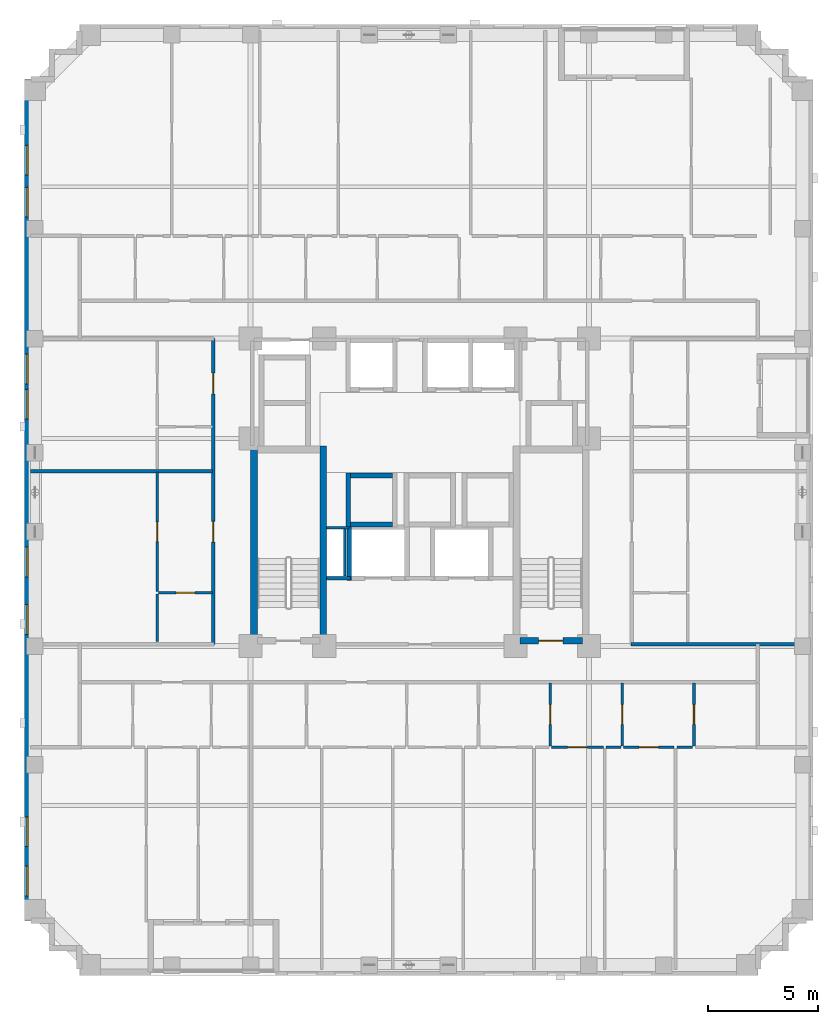
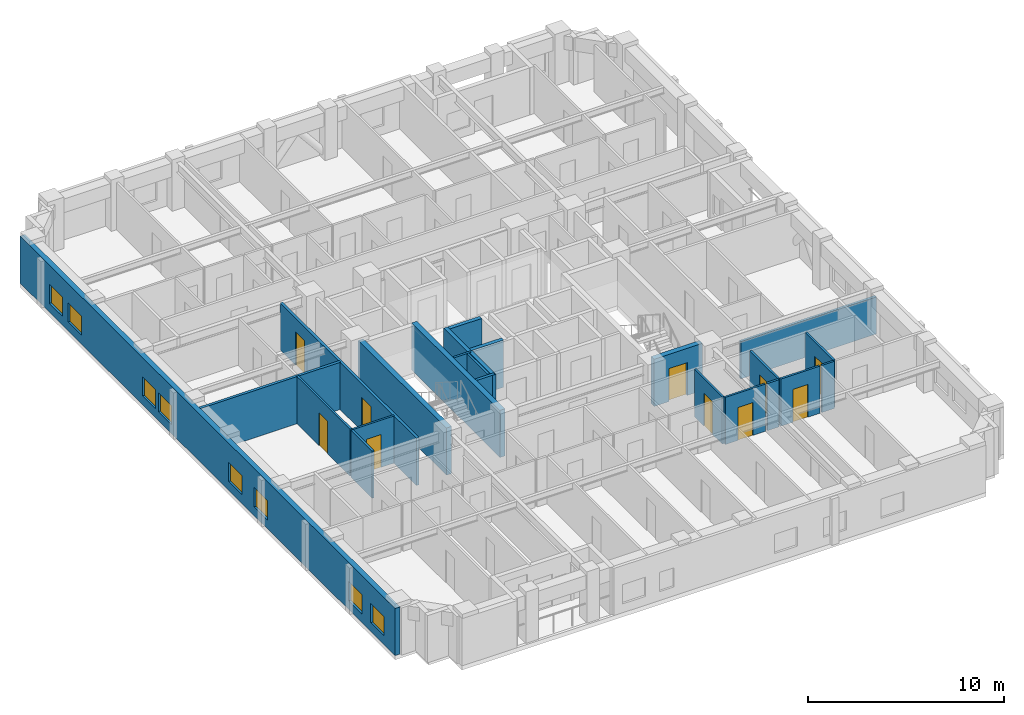
# One storey, part 4 of 12: 24 walls, 10 doors, 8 windows, 18 openings.
"""IFC4 building model written with IfcOpenShell, lengths in metres."""

from ifc_helpers import new_model, si_unit, derived_unit, direction, frame, frame_2d, origin, place, context, subcontext, project, spatial, rectangle, extrude, material, layer, layer_set, type_object, element, fill, save


model = new_model("IFC4")

# Units and contexts
model_context = context("Model", 3, precision=1e-05, world=origin(), true_north=direction((0.0, 1.0)))
body_context = subcontext(model_context, "Body", "Model", "MODEL_VIEW")
ifc_project = project(units=[si_unit("LENGTHUNIT", "METRE"), si_unit("AREAUNIT", "SQUARE_METRE"), si_unit("VOLUMEUNIT", "CUBIC_METRE"), si_unit("PLANEANGLEUNIT", "RADIAN"), si_unit("MASSUNIT", "GRAM", prefix="KILO"), derived_unit("THERMALTRANSMITTANCEUNIT", [(si_unit("MASSUNIT", "GRAM", prefix="KILO"), 1), (si_unit("TIMEUNIT", "SECOND"), -3), (si_unit("THERMODYNAMICTEMPERATUREUNIT", "KELVIN"), -1)])], contexts=[model_context])

# Site, building, storey
site_placement = place(None, origin())
site = spatial("IfcSite", under=ifc_project, at=site_placement, CompositionType="ELEMENT")
building_placement = place(site_placement, origin())
building = spatial("IfcBuilding", under=site, at=building_placement, Name="Korrvale Station Residences", CompositionType="ELEMENT")
storey_placement = place(building_placement, frame((0.0, 0.0, 113.5)))
storey = spatial("IfcBuildingStorey", under=building, at=storey_placement, Name="L32", CompositionType="ELEMENT", Elevation=113.5)

# Walls
ifc_material_1 = material(Name="Concrete C60/75", Category="concrete")
ifc_layer_1 = layer(ifc_material_1, 0.300048828125, Name="Concrete C60/75")
ifc_layer_set_1 = layer_set([ifc_layer_1], Name="Concrete C60/75")
wall_type_1 = type_object("IfcWallType", Name="WAL-CORE-300-C60", PredefinedType="SHEAR", material=ifc_layer_set_1)
for number, where, z_axis, x_axis, name in (
    (1, (17.949951171875, 15.10009765625, 0.0), (0.0, 0.0, 1.0), (0.0, 1.0, 0.0), "L32 ST-1 Core Shear Wall West"),
    (2, (21.10009765625, 15.10009765625, 0.0), (0.0, 0.0, 1.0), (0.0, 1.0, 0.0), "L32 ST-1 Core Shear Wall East"),
):
    element("IfcWall", number, at=place(storey_placement, frame(where, z_axis=z_axis, x_axis=x_axis)), inside=storey, type_object=wall_type_1, Name=name, PredefinedType="SHEAR", context=body_context, shape_type="SweptSolid", body=[
        extrude(rectangle(XDim=9.0, YDim=0.300048828125, at=frame_2d((4.5, 0.0))), origin(), (0.0, 0.0, 1.0), 2.93994140625),
    ])

# Wall, opening, door
wall_1_placement = place(storey_placement, frame((30.050048828125, 15.25, 0.0), z_axis=(0.0, 0.0, 1.0), x_axis=(1.0, 0.0, 0.0)))
wall_1 = element("IfcWall", 3, at=wall_1_placement, inside=storey, type_object=wall_type_1, Name="L32 ST-2 Core Shear Wall South", PredefinedType="SHEAR", context=body_context, shape_type="SweptSolid", body=[
    extrude(rectangle(XDim=2.849853515625, YDim=0.300048828125, at=frame_2d((1.4248046875, 0.0))), origin(), (0.0, 0.0, 1.0), 2.93994140625),
])
opening_1_placement = place(wall_1_placement, frame((0.860107421875, 0.0, 0.0)))
opening_1 = element("IfcOpeningElement", 4, at=opening_1_placement, cuts=wall_1, Name="Opening SD-1100", PredefinedType="OPENING", context=body_context, shape_type="SweptSolid", body=[
    extrude(rectangle(XDim=1.10009765625, YDim=2.050048828125, at=frame_2d((0.550048828125, 1.02490234375))), frame((0.0, 0.16015625, 0.0), z_axis=(0.0, -1.0, 0.0), x_axis=(1.0, 0.0, 0.0)), (0.0, 0.0, 1.0), 0.320068359375),
])
ifc_material_2 = material(Name="Hollow-metal fire-rated stair door with closer", Category="steel")
door_type_1 = type_object("IfcDoorType", Name="DR-STAIR-1100", OperationType="NOTDEFINED", PredefinedType="DOOR", material=ifc_material_2)
door_1_placement = place(opening_1_placement, origin())
door_1 = element("IfcDoor", 5, at=door_1_placement, inside=storey, type_object=door_type_1, Name="L32 ST-2 Exit Stair Door", OperationType="SINGLE_SWING_RIGHT", OverallHeight=2.050048828125, OverallWidth=1.10009765625, PredefinedType="DOOR", context=body_context, shape_type="SweptSolid", body=[
    extrude(rectangle(XDim=1.10009765625, YDim=2.050048828125, at=frame_2d((0.550048828125, 1.02490234375))), frame((0.0, 0.02490234375, 0.0), z_axis=(0.0, -1.0, 0.0), x_axis=(1.0, 0.0, 0.0)), (0.0, 0.0, 1.0), 0.050048828125),
])
fill(opening_1, door_1)

# Wall, openings, windows
ifc_material_3 = material(Name="Precast concrete C45/55", Category="concrete")
ifc_layer_2 = layer(ifc_material_3, 0.300048828125, Name="Precast concrete C45/55")
ifc_layer_set_2 = layer_set([ifc_layer_2], Name="Precast concrete C45/55")
wall_type_2 = type_object("IfcWallType", Name="WAL-EXT-PC300", PredefinedType="SOLIDWALL", material=ifc_layer_set_2)
wall_2_placement = place(storey_placement, frame((7.64990234375, 2.5, 0.0), z_axis=(0.0, 0.0, 1.0), x_axis=(0.0, 1.0, 0.0)))
wall_2 = element("IfcWall", 6, at=wall_2_placement, inside=storey, type_object=wall_type_2, Name="L32 West Exterior Precast Wall 1", PredefinedType="SOLIDWALL", context=body_context, shape_type="SweptSolid", body=[
    extrude(rectangle(XDim=38.300048828125, YDim=0.300048828125, at=frame_2d((19.14990234375, 0.0))), origin(), (0.0, 0.0, 1.0), 2.93994140625),
])
opening_2_placement = place(wall_2_placement, frame((3.3798828125, 0.0, 0.550048828125)))
opening_2 = element("IfcOpeningElement", 7, at=opening_2_placement, cuts=wall_2, Name="Opening W-10", PredefinedType="OPENING", context=body_context, shape_type="SweptSolid", body=[
    extrude(rectangle(XDim=1.35009765625, YDim=1.199951171875, at=frame_2d((0.675048828125, 0.60009765625))), frame((0.0, 0.16015625, 0.0), z_axis=(0.0, -1.0, 0.0), x_axis=(1.0, 0.0, 0.0)), (0.0, 0.0, 1.0), 0.320068359375),
])
opening_3_placement = place(wall_2_placement, frame((1.135009765625, 0.0, 0.550048828125)))
opening_3 = element("IfcOpeningElement", 8, at=opening_3_placement, cuts=wall_2, Name="Opening W-10", PredefinedType="OPENING", context=body_context, shape_type="SweptSolid", body=[
    extrude(rectangle(XDim=1.35009765625, YDim=1.199951171875, at=frame_2d((0.675048828125, 0.60009765625))), frame((0.0, 0.16015625, 0.0), z_axis=(0.0, -1.0, 0.0), x_axis=(1.0, 0.0, 0.0)), (0.0, 0.0, 1.0), 0.320068359375),
])
opening_4_placement = place(wall_2_placement, frame((33.946044921875, 0.0, 0.550048828125)))
opening_4 = element("IfcOpeningElement", 9, at=opening_4_placement, cuts=wall_2, Name="Opening W-10", PredefinedType="OPENING", context=body_context, shape_type="SweptSolid", body=[
    extrude(rectangle(XDim=1.35009765625, YDim=1.199951171875, at=frame_2d((0.675048828125, 0.60009765625))), frame((0.0, 0.16015625, 0.0), z_axis=(0.0, -1.0, 0.0), x_axis=(1.0, 0.0, 0.0)), (0.0, 0.0, 1.0), 0.320068359375),
])
opening_5_placement = place(wall_2_placement, frame((32.034912109375, 0.0, 0.550048828125)))
opening_5 = element("IfcOpeningElement", 10, at=opening_5_placement, cuts=wall_2, Name="Opening W-10", PredefinedType="OPENING", context=body_context, shape_type="SweptSolid", body=[
    extrude(rectangle(XDim=1.35009765625, YDim=1.199951171875, at=frame_2d((0.675048828125, 0.60009765625))), frame((0.0, 0.16015625, 0.0), z_axis=(0.0, -1.0, 0.0), x_axis=(1.0, 0.0, 0.0)), (0.0, 0.0, 1.0), 0.320068359375),
])
opening_6_placement = place(wall_2_placement, frame((15.64990234375, 0.0, 0.550048828125)))
opening_6 = element("IfcOpeningElement", 11, at=opening_6_placement, cuts=wall_2, Name="Opening W-10", PredefinedType="OPENING", context=body_context, shape_type="SweptSolid", body=[
    extrude(rectangle(XDim=1.35009765625, YDim=1.199951171875, at=frame_2d((0.675048828125, 0.60009765625))), frame((0.0, 0.16015625, 0.0), z_axis=(0.0, -1.0, 0.0), x_axis=(1.0, 0.0, 0.0)), (0.0, 0.0, 1.0), 0.320068359375),
])
opening_7_placement = place(wall_2_placement, frame((13.034912109375, 0.0, 0.550048828125)))
opening_7 = element("IfcOpeningElement", 12, at=opening_7_placement, cuts=wall_2, Name="Opening W-10", PredefinedType="OPENING", context=body_context, shape_type="SweptSolid", body=[
    extrude(rectangle(XDim=1.35009765625, YDim=1.199951171875, at=frame_2d((0.675048828125, 0.60009765625))), frame((0.0, 0.16015625, 0.0), z_axis=(0.0, -1.0, 0.0), x_axis=(1.0, 0.0, 0.0)), (0.0, 0.0, 1.0), 0.320068359375),
])
opening_8_placement = place(wall_2_placement, frame((22.8310546875, 0.0, 0.550048828125)))
opening_8 = element("IfcOpeningElement", 13, at=opening_8_placement, cuts=wall_2, Name="Opening W-10", PredefinedType="OPENING", context=body_context, shape_type="SweptSolid", body=[
    extrude(rectangle(XDim=1.35009765625, YDim=1.199951171875, at=frame_2d((0.675048828125, 0.60009765625))), frame((0.0, 0.16015625, 0.0), z_axis=(0.0, -1.0, 0.0), x_axis=(1.0, 0.0, 0.0)), (0.0, 0.0, 1.0), 0.320068359375),
])
opening_9_placement = place(wall_2_placement, frame((24.44091796875, 0.0, 0.550048828125)))
opening_9 = element("IfcOpeningElement", 14, at=opening_9_placement, cuts=wall_2, Name="Opening W-10", PredefinedType="OPENING", context=body_context, shape_type="SweptSolid", body=[
    extrude(rectangle(XDim=1.35009765625, YDim=1.199951171875, at=frame_2d((0.675048828125, 0.60009765625))), frame((0.0, 0.16015625, 0.0), z_axis=(0.0, -1.0, 0.0), x_axis=(1.0, 0.0, 0.0)), (0.0, 0.0, 1.0), 0.320068359375),
])
ifc_material_4 = material(Name="Thermally broken aluminium frame with triple low-e glazing", Category="aluminium")
window_type = type_object("IfcWindowType", Name="WIN-W10", PartitioningType="SINGLE_PANEL", PredefinedType="WINDOW", material=ifc_material_4)
window_1_placement = place(opening_2_placement, origin())
window_1 = element("IfcWindow", 15, at=window_1_placement, inside=storey, type_object=window_type, Name="L32 Punched Window 01", OverallHeight=1.199951171875, OverallWidth=1.35009765625, PartitioningType="SINGLE_PANEL", PredefinedType="WINDOW", context=body_context, shape_type="SweptSolid", body=[
    extrude(rectangle(XDim=1.35009765625, YDim=1.199951171875, at=frame_2d((0.675048828125, 0.60009765625))), frame((0.0, 0.030029296875, 0.0), z_axis=(0.0, -1.0, 0.0), x_axis=(1.0, 0.0, 0.0)), (0.0, 0.0, 1.0), 0.06005859375),
])
fill(opening_2, window_1)
window_2_placement = place(opening_3_placement, origin())
window_2 = element("IfcWindow", 16, at=window_2_placement, inside=storey, type_object=window_type, Name="L32 Punched Window 02", OverallHeight=1.199951171875, OverallWidth=1.35009765625, PartitioningType="SINGLE_PANEL", PredefinedType="WINDOW", context=body_context, shape_type="SweptSolid", body=[
    extrude(rectangle(XDim=1.35009765625, YDim=1.199951171875, at=frame_2d((0.675048828125, 0.60009765625))), frame((0.0, 0.030029296875, 0.0), z_axis=(0.0, -1.0, 0.0), x_axis=(1.0, 0.0, 0.0)), (0.0, 0.0, 1.0), 0.06005859375),
])
fill(opening_3, window_2)
window_3_placement = place(opening_4_placement, origin())
window_3 = element("IfcWindow", 17, at=window_3_placement, inside=storey, type_object=window_type, Name="L32 Punched Window 12", OverallHeight=1.199951171875, OverallWidth=1.35009765625, PartitioningType="SINGLE_PANEL", PredefinedType="WINDOW", context=body_context, shape_type="SweptSolid", body=[
    extrude(rectangle(XDim=1.35009765625, YDim=1.199951171875, at=frame_2d((0.675048828125, 0.60009765625))), frame((0.0, 0.030029296875, 0.0), z_axis=(0.0, -1.0, 0.0), x_axis=(1.0, 0.0, 0.0)), (0.0, 0.0, 1.0), 0.06005859375),
])
fill(opening_4, window_3)
window_4_placement = place(opening_5_placement, origin())
window_4 = element("IfcWindow", 18, at=window_4_placement, inside=storey, type_object=window_type, Name="L32 Punched Window 13", OverallHeight=1.199951171875, OverallWidth=1.35009765625, PartitioningType="SINGLE_PANEL", PredefinedType="WINDOW", context=body_context, shape_type="SweptSolid", body=[
    extrude(rectangle(XDim=1.35009765625, YDim=1.199951171875, at=frame_2d((0.675048828125, 0.60009765625))), frame((0.0, 0.030029296875, 0.0), z_axis=(0.0, -1.0, 0.0), x_axis=(1.0, 0.0, 0.0)), (0.0, 0.0, 1.0), 0.06005859375),
])
fill(opening_5, window_4)
window_5_placement = place(opening_6_placement, origin())
window_5 = element("IfcWindow", 19, at=window_5_placement, inside=storey, type_object=window_type, Name="L32 Punched Window 19", OverallHeight=1.199951171875, OverallWidth=1.35009765625, PartitioningType="SINGLE_PANEL", PredefinedType="WINDOW", context=body_context, shape_type="SweptSolid", body=[
    extrude(rectangle(XDim=1.35009765625, YDim=1.199951171875, at=frame_2d((0.675048828125, 0.60009765625))), frame((0.0, 0.030029296875, 0.0), z_axis=(0.0, -1.0, 0.0), x_axis=(1.0, 0.0, 0.0)), (0.0, 0.0, 1.0), 0.06005859375),
])
fill(opening_6, window_5)
window_6_placement = place(opening_7_placement, origin())
window_6 = element("IfcWindow", 20, at=window_6_placement, inside=storey, type_object=window_type, Name="L32 Punched Window 20", OverallHeight=1.199951171875, OverallWidth=1.35009765625, PartitioningType="SINGLE_PANEL", PredefinedType="WINDOW", context=body_context, shape_type="SweptSolid", body=[
    extrude(rectangle(XDim=1.35009765625, YDim=1.199951171875, at=frame_2d((0.675048828125, 0.60009765625))), frame((0.0, 0.030029296875, 0.0), z_axis=(0.0, -1.0, 0.0), x_axis=(1.0, 0.0, 0.0)), (0.0, 0.0, 1.0), 0.06005859375),
])
fill(opening_7, window_6)
window_7_placement = place(opening_8_placement, origin())
window_7 = element("IfcWindow", 21, at=window_7_placement, inside=storey, type_object=window_type, Name="L32 Punched Window 21", OverallHeight=1.199951171875, OverallWidth=1.35009765625, PartitioningType="SINGLE_PANEL", PredefinedType="WINDOW", context=body_context, shape_type="SweptSolid", body=[
    extrude(rectangle(XDim=1.35009765625, YDim=1.199951171875, at=frame_2d((0.675048828125, 0.60009765625))), frame((0.0, 0.030029296875, 0.0), z_axis=(0.0, -1.0, 0.0), x_axis=(1.0, 0.0, 0.0)), (0.0, 0.0, 1.0), 0.06005859375),
])
fill(opening_8, window_7)
window_8_placement = place(opening_9_placement, origin())
window_8 = element("IfcWindow", 22, at=window_8_placement, inside=storey, type_object=window_type, Name="L32 Punched Window 22", OverallHeight=1.199951171875, OverallWidth=1.35009765625, PartitioningType="SINGLE_PANEL", PredefinedType="WINDOW", context=body_context, shape_type="SweptSolid", body=[
    extrude(rectangle(XDim=1.35009765625, YDim=1.199951171875, at=frame_2d((0.675048828125, 0.60009765625))), frame((0.0, 0.030029296875, 0.0), z_axis=(0.0, -1.0, 0.0), x_axis=(1.0, 0.0, 0.0)), (0.0, 0.0, 1.0), 0.06005859375),
])
fill(opening_9, window_8)

# Walls
ifc_material_5 = material(Name="Acoustic steel-stud gypsum board partition", Category="steel")
ifc_layer_3 = layer(ifc_material_5, 0.1201171875, Name="Acoustic steel-stud gypsum board partition")
ifc_layer_set_3 = layer_set([ifc_layer_3], Name="Acoustic steel-stud gypsum board partition")
wall_type_3 = type_object("IfcWallType", Name="WAL-PART-125", PredefinedType="PARTITIONING", material=ifc_layer_set_3)
wall_3_placement = place(storey_placement, frame((22.080078125, 18.199951171875, 0.0), z_axis=(0.0, 0.0, 1.0), x_axis=(0.0, 1.0, 0.0)))
element("IfcWall", 23, at=wall_3_placement, inside=storey, type_object=wall_type_3, Name="L32 Core Partition CW-RSWT", PredefinedType="PARTITIONING", context=body_context, shape_type="SweptSolid", body=[
    extrude(rectangle(XDim=2.1201171875, YDim=0.1201171875, at=frame_2d((1.06005859375, 0.0))), origin(), (0.0, 0.0, 1.0), 2.93994140625),
])
wall_4_placement = place(storey_placement, frame((22.280029296875, 20.3798828125, 0.0), z_axis=(0.0, 0.0, 1.0), x_axis=(-1.0, 0.0, 0.0)))
element("IfcWall", 24, at=wall_4_placement, inside=storey, type_object=wall_type_3, Name="L32 Core Partition CW-RSWT-N", PredefinedType="PARTITIONING", context=body_context, shape_type="SweptSolid", body=[
    extrude(rectangle(XDim=1.02001953125, YDim=0.1201171875, at=frame_2d((0.510009765625, 0.0))), origin(), (0.0, 0.0, 1.0), 2.93994140625),
])

# Wall, opening, door
wall_5_placement = place(storey_placement, frame((31.43994140625, 10.4599609375, 0.0), z_axis=(0.0, 0.0, 1.0), x_axis=(0.0, 1.0, 0.0)))
wall_5 = element("IfcWall", 25, at=wall_5_placement, inside=storey, type_object=wall_type_3, Name="L32 Suite Partition U02-V34", PredefinedType="PARTITIONING", context=body_context, shape_type="SweptSolid", body=[
    extrude(rectangle(XDim=2.85009765625, YDim=0.1201171875, at=frame_2d((1.425048828125, 0.0))), origin(), (0.0, 0.0, 1.0), 2.93994140625),
])
opening_10_placement = place(wall_5_placement, frame((0.97509765625, 0.0, 0.0)))
opening_10 = element("IfcOpeningElement", 26, at=opening_10_placement, cuts=wall_5, Name="Opening DI-900", PredefinedType="OPENING", context=body_context, shape_type="SweptSolid", body=[
    extrude(rectangle(XDim=0.89990234375, YDim=2.050048828125, at=frame_2d((0.449951171875, 1.02490234375))), frame((0.0, 0.070068359375, 0.0), z_axis=(0.0, -1.0, 0.0), x_axis=(1.0, 0.0, 0.0)), (0.0, 0.0, 1.0), 0.14013671875),
])
ifc_material_6 = material(Name="Painted solid-core timber interior room door", Category="wood")
door_type_2 = type_object("IfcDoorType", Name="DR-INT-900", OperationType="NOTDEFINED", PredefinedType="DOOR", material=ifc_material_6)
door_2_placement = place(opening_10_placement, origin())
door_2 = element("IfcDoor", 27, at=door_2_placement, inside=storey, type_object=door_type_2, Name="L32 Studio Apartment L32-U02 Home Study Room Door", OperationType="SINGLE_SWING_RIGHT", OverallHeight=2.050048828125, OverallWidth=0.89990234375, PredefinedType="DOOR", context=body_context, shape_type="SweptSolid", body=[
    extrude(rectangle(XDim=0.89990234375, YDim=2.050048828125, at=frame_2d((0.449951171875, 1.02490234375))), frame((0.0, 0.02490234375, 0.0), z_axis=(0.0, -1.0, 0.0), x_axis=(1.0, 0.0, 0.0)), (0.0, 0.0, 1.0), 0.050048828125),
])
fill(opening_10, door_2)

wall_6_placement = place(storey_placement, frame((34.7099609375, 10.4599609375, 0.0), z_axis=(0.0, 0.0, 1.0), x_axis=(0.0, 1.0, 0.0)))
wall_6 = element("IfcWall", 28, at=wall_6_placement, inside=storey, type_object=wall_type_3, Name="L32 Suite Partition U02-V45", PredefinedType="PARTITIONING", context=body_context, shape_type="SweptSolid", body=[
    extrude(rectangle(XDim=2.85009765625, YDim=0.1201171875, at=frame_2d((1.425048828125, 0.0))), origin(), (0.0, 0.0, 1.0), 2.93994140625),
])
opening_11_placement = place(wall_6_placement, frame((0.97509765625, 0.0, 0.0)))
opening_11 = element("IfcOpeningElement", 29, at=opening_11_placement, cuts=wall_6, Name="Opening DI-900", PredefinedType="OPENING", context=body_context, shape_type="SweptSolid", body=[
    extrude(rectangle(XDim=0.89990234375, YDim=2.050048828125, at=frame_2d((0.449951171875, 1.02490234375))), frame((0.0, 0.070068359375, 0.0), z_axis=(0.0, -1.0, 0.0), x_axis=(1.0, 0.0, 0.0)), (0.0, 0.0, 1.0), 0.14013671875),
])
door_3_placement = place(opening_11_placement, origin())
door_3 = element("IfcDoor", 30, at=door_3_placement, inside=storey, type_object=door_type_2, Name="L32 Studio Apartment L32-U02 Home Study Room Door", OperationType="SINGLE_SWING_RIGHT", OverallHeight=2.050048828125, OverallWidth=0.89990234375, PredefinedType="DOOR", context=body_context, shape_type="SweptSolid", body=[
    extrude(rectangle(XDim=0.89990234375, YDim=2.050048828125, at=frame_2d((0.449951171875, 1.02490234375))), frame((0.0, 0.02490234375, 0.0), z_axis=(0.0, -1.0, 0.0), x_axis=(1.0, 0.0, 0.0)), (0.0, 0.0, 1.0), 0.050048828125),
])
fill(opening_11, door_3)

wall_7_placement = place(storey_placement, frame((31.5, 10.39990234375, 0.0), z_axis=(0.0, 0.0, 1.0), x_axis=(1.0, 0.0, 0.0)))
wall_7 = element("IfcWall", 31, at=wall_7_placement, inside=storey, type_object=wall_type_3, Name="L32 Suite Partition U02-H411", PredefinedType="PARTITIONING", context=body_context, shape_type="SweptSolid", body=[
    extrude(rectangle(XDim=2.360107421875, YDim=0.1201171875, at=frame_2d((1.18017578125, 0.0))), origin(), (0.0, 0.0, 1.0), 2.93994140625),
])
opening_12_placement = place(wall_7_placement, frame((0.72998046875, 0.0, 0.0)))
opening_12 = element("IfcOpeningElement", 32, at=opening_12_placement, cuts=wall_7, Name="Opening DI-900", PredefinedType="OPENING", context=body_context, shape_type="SweptSolid", body=[
    extrude(rectangle(XDim=0.89990234375, YDim=2.050048828125, at=frame_2d((0.449951171875, 1.02490234375))), frame((0.0, 0.070068359375, 0.0), z_axis=(0.0, -1.0, 0.0), x_axis=(1.0, 0.0, 0.0)), (0.0, 0.0, 1.0), 0.14013671875),
])
door_4_placement = place(opening_12_placement, origin())
door_4 = element("IfcDoor", 33, at=door_4_placement, inside=storey, type_object=door_type_2, Name="L32 Studio Apartment L32-U02 Home Study Room Door", OperationType="SINGLE_SWING_LEFT", OverallHeight=2.050048828125, OverallWidth=0.89990234375, PredefinedType="DOOR", context=body_context, shape_type="SweptSolid", body=[
    extrude(rectangle(XDim=0.89990234375, YDim=2.050048828125, at=frame_2d((0.449951171875, 1.02490234375))), frame((0.0, 0.02490234375, 0.0), z_axis=(0.0, -1.0, 0.0), x_axis=(1.0, 0.0, 0.0)), (0.0, 0.0, 1.0), 0.050048828125),
])
fill(opening_12, door_4)

# Wall
wall_8_placement = place(storey_placement, frame((33.97998046875, 10.39990234375, 0.0), z_axis=(0.0, 0.0, 1.0), x_axis=(1.0, 0.0, 0.0)))
element("IfcWall", 34, at=wall_8_placement, inside=storey, type_object=wall_type_3, Name="L32 Suite Partition U02-H412", PredefinedType="PARTITIONING", context=body_context, shape_type="SweptSolid", body=[
    extrude(rectangle(XDim=0.669921875, YDim=0.1201171875, at=frame_2d((0.3349609375, 0.0))), origin(), (0.0, 0.0, 1.0), 2.93994140625),
])

# Wall, opening, door
wall_9_placement = place(storey_placement, frame((37.97998046875, 10.4599609375, 0.0), z_axis=(0.0, 0.0, 1.0), x_axis=(0.0, 1.0, 0.0)))
wall_9 = element("IfcWall", 35, at=wall_9_placement, inside=storey, type_object=wall_type_3, Name="L32 Suite Partition U02-V56", PredefinedType="PARTITIONING", context=body_context, shape_type="SweptSolid", body=[
    extrude(rectangle(XDim=2.85009765625, YDim=0.1201171875, at=frame_2d((1.425048828125, 0.0))), origin(), (0.0, 0.0, 1.0), 2.93994140625),
])
opening_13_placement = place(wall_9_placement, frame((0.97509765625, 0.0, 0.0)))
opening_13 = element("IfcOpeningElement", 36, at=opening_13_placement, cuts=wall_9, Name="Opening DI-900", PredefinedType="OPENING", context=body_context, shape_type="SweptSolid", body=[
    extrude(rectangle(XDim=0.89990234375, YDim=2.050048828125, at=frame_2d((0.449951171875, 1.02490234375))), frame((0.0, 0.070068359375, 0.0), z_axis=(0.0, -1.0, 0.0), x_axis=(1.0, 0.0, 0.0)), (0.0, 0.0, 1.0), 0.14013671875),
])
door_5_placement = place(opening_13_placement, origin())
door_5 = element("IfcDoor", 37, at=door_5_placement, inside=storey, type_object=door_type_2, Name="L32 Studio Apartment L32-U02 Home Study Room Door", OperationType="SINGLE_SWING_RIGHT", OverallHeight=2.050048828125, OverallWidth=0.89990234375, PredefinedType="DOOR", context=body_context, shape_type="SweptSolid", body=[
    extrude(rectangle(XDim=0.89990234375, YDim=2.050048828125, at=frame_2d((0.449951171875, 1.02490234375))), frame((0.0, 0.02490234375, 0.0), z_axis=(0.0, -1.0, 0.0), x_axis=(1.0, 0.0, 0.0)), (0.0, 0.0, 1.0), 0.050048828125),
])
fill(opening_13, door_5)

wall_10_placement = place(storey_placement, frame((34.77001953125, 10.39990234375, 0.0), z_axis=(0.0, 0.0, 1.0), x_axis=(1.0, 0.0, 0.0)))
wall_10 = element("IfcWall", 38, at=wall_10_placement, inside=storey, type_object=wall_type_3, Name="L32 Suite Partition U02-H512", PredefinedType="PARTITIONING", context=body_context, shape_type="SweptSolid", body=[
    extrude(rectangle(XDim=2.31005859375, YDim=0.1201171875, at=frame_2d((1.155029296875, 0.0))), origin(), (0.0, 0.0, 1.0), 2.93994140625),
])
opening_14_placement = place(wall_10_placement, frame((0.705078125, 0.0, 0.0)))
opening_14 = element("IfcOpeningElement", 39, at=opening_14_placement, cuts=wall_10, Name="Opening DI-900", PredefinedType="OPENING", context=body_context, shape_type="SweptSolid", body=[
    extrude(rectangle(XDim=0.89990234375, YDim=2.050048828125, at=frame_2d((0.449951171875, 1.02490234375))), frame((0.0, 0.070068359375, 0.0), z_axis=(0.0, -1.0, 0.0), x_axis=(1.0, 0.0, 0.0)), (0.0, 0.0, 1.0), 0.14013671875),
])
door_6_placement = place(opening_14_placement, origin())
door_6 = element("IfcDoor", 40, at=door_6_placement, inside=storey, type_object=door_type_2, Name="L32 Studio Apartment L32-U02 Home Study Room Door", OperationType="SINGLE_SWING_LEFT", OverallHeight=2.050048828125, OverallWidth=0.89990234375, PredefinedType="DOOR", context=body_context, shape_type="SweptSolid", body=[
    extrude(rectangle(XDim=0.89990234375, YDim=2.050048828125, at=frame_2d((0.449951171875, 1.02490234375))), frame((0.0, 0.02490234375, 0.0), z_axis=(0.0, -1.0, 0.0), x_axis=(1.0, 0.0, 0.0)), (0.0, 0.0, 1.0), 0.050048828125),
])
fill(opening_14, door_6)

# Wall
wall_11_placement = place(storey_placement, frame((37.199951171875, 10.39990234375, 0.0), z_axis=(0.0, 0.0, 1.0), x_axis=(1.0, 0.0, 0.0)))
element("IfcWall", 41, at=wall_11_placement, inside=storey, type_object=wall_type_3, Name="L32 Suite Partition U02-H513", PredefinedType="PARTITIONING", context=body_context, shape_type="SweptSolid", body=[
    extrude(rectangle(XDim=0.719970703125, YDim=0.1201171875, at=frame_2d((0.35986328125, 0.0))), origin(), (0.0, 0.0, 1.0), 2.93994140625),
])

# Wall, opening, door
wall_12_placement = place(storey_placement, frame((13.610107421875, 17.428955078125, 0.0), z_axis=(0.0, 0.0, 1.0), x_axis=(1.0, 0.0, 0.0)))
wall_12 = element("IfcWall", 42, at=wall_12_placement, inside=storey, type_object=wall_type_3, Name="L32 Suite Partition U05-H01", PredefinedType="PARTITIONING", context=body_context, shape_type="SweptSolid", body=[
    extrude(rectangle(XDim=2.449951171875, YDim=0.1201171875, at=frame_2d((1.22509765625, 0.0))), origin(), (0.0, 0.0, 1.0), 2.93994140625),
])
opening_15_placement = place(wall_12_placement, frame((0.794921875, 0.0, 0.0)))
opening_15 = element("IfcOpeningElement", 43, at=opening_15_placement, cuts=wall_12, Name="Opening DB-860", PredefinedType="OPENING", context=body_context, shape_type="SweptSolid", body=[
    extrude(rectangle(XDim=0.860107421875, YDim=2.050048828125, at=frame_2d((0.43017578125, 1.02490234375))), frame((0.0, 0.070068359375, 0.0), z_axis=(0.0, -1.0, 0.0), x_axis=(1.0, 0.0, 0.0)), (0.0, 0.0, 1.0), 0.14013671875),
])
ifc_material_7 = material(Name="Moisture-resistant solid-core bathroom door", Category="timber")
door_type_3 = type_object("IfcDoorType", Name="DR-BATH-860", OperationType="NOTDEFINED", PredefinedType="DOOR", material=ifc_material_7)
door_7_placement = place(opening_15_placement, origin())
door_7 = element("IfcDoor", 44, at=door_7_placement, inside=storey, type_object=door_type_3, Name="L32 Studio Apartment L32-U05 Bathroom Door", OperationType="SINGLE_SWING_RIGHT", OverallHeight=2.050048828125, OverallWidth=0.860107421875, PredefinedType="DOOR", context=body_context, shape_type="SweptSolid", body=[
    extrude(rectangle(XDim=0.860107421875, YDim=2.050048828125, at=frame_2d((0.43017578125, 1.02490234375))), frame((0.0, 0.02490234375, 0.0), z_axis=(0.0, -1.0, 0.0), x_axis=(1.0, 0.0, 0.0)), (0.0, 0.0, 1.0), 0.050048828125),
])
fill(opening_15, door_7)

# Wall
wall_13_placement = place(storey_placement, frame((13.550048828125, 15.2099609375, 0.0), z_axis=(0.0, 0.0, 1.0), x_axis=(0.0, 1.0, 0.0)))
element("IfcWall", 45, at=wall_13_placement, inside=storey, type_object=wall_type_3, Name="L32 Suite Partition U05-V02", PredefinedType="PARTITIONING", context=body_context, shape_type="SweptSolid", body=[
    extrude(rectangle(XDim=2.158935546875, YDim=0.1201171875, at=frame_2d((1.07958984375, 0.0))), origin(), (0.0, 0.0, 1.0), 2.93994140625),
])

# Wall, opening, door
wall_14_placement = place(storey_placement, frame((13.550048828125, 17.489013671875, 0.0), z_axis=(0.0, 0.0, 1.0), x_axis=(0.0, 1.0, 0.0)))
wall_14 = element("IfcWall", 46, at=wall_14_placement, inside=storey, type_object=wall_type_3, Name="L32 Suite Partition U05-V12", PredefinedType="PARTITIONING", context=body_context, shape_type="SweptSolid", body=[
    extrude(rectangle(XDim=5.43310546875, YDim=0.1201171875, at=frame_2d((2.716552734375, 0.0))), origin(), (0.0, 0.0, 1.0), 2.93994140625),
])
opening_16_placement = place(wall_14_placement, frame((2.26611328125, 0.0, 0.0)))
opening_16 = element("IfcOpeningElement", 47, at=opening_16_placement, cuts=wall_14, Name="Opening DI-900", PredefinedType="OPENING", context=body_context, shape_type="SweptSolid", body=[
    extrude(rectangle(XDim=0.89990234375, YDim=2.050048828125, at=frame_2d((0.449951171875, 1.02490234375))), frame((0.0, 0.070068359375, 0.0), z_axis=(0.0, -1.0, 0.0), x_axis=(1.0, 0.0, 0.0)), (0.0, 0.0, 1.0), 0.14013671875),
])
door_8_placement = place(opening_16_placement, origin())
door_8 = element("IfcDoor", 48, at=door_8_placement, inside=storey, type_object=door_type_2, Name="L32 Studio Apartment L32-U05 Kitchen Door", OperationType="SINGLE_SWING_LEFT", OverallHeight=2.050048828125, OverallWidth=0.89990234375, PredefinedType="DOOR", context=body_context, shape_type="SweptSolid", body=[
    extrude(rectangle(XDim=0.89990234375, YDim=2.050048828125, at=frame_2d((0.449951171875, 1.02490234375))), frame((0.0, 0.02490234375, 0.0), z_axis=(0.0, -1.0, 0.0), x_axis=(1.0, 0.0, 0.0)), (0.0, 0.0, 1.0), 0.050048828125),
])
fill(opening_16, door_8)

# Walls
ifc_material_8 = material(Name="Fire-rated twin-stud gypsum and mineral wool shaftwall assembly", Category="gypsum")
ifc_layer_4 = layer(ifc_material_8, 0.159912109375, Name="Fire-rated twin-stud gypsum and mineral wool shaftwall assembly")
ifc_layer_set_4 = layer_set([ifc_layer_4], Name="Fire-rated twin-stud gypsum and mineral wool shaftwall assembly")
wall_type_4 = type_object("IfcWallType", Name="WAL-PART-200", PredefinedType="PARTITIONING", material=ifc_layer_set_4)
wall_15_placement = place(storey_placement, frame((21.25, 18.080078125, 0.0), z_axis=(0.0, 0.0, 1.0), x_axis=(1.0, 0.0, 0.0)))
element("IfcWall", 49, at=wall_15_placement, inside=storey, type_object=wall_type_4, Name="L32 Core Partition CW-FFL-N1", PredefinedType="PARTITIONING", context=body_context, shape_type="SweptSolid", body=[
    extrude(rectangle(XDim=1.10009765625, YDim=0.159912109375, at=frame_2d((0.550048828125, 0.0))), origin(), (0.0, 0.0, 1.0), 2.93994140625),
])
wall_16_placement = place(storey_placement, frame((35.110107421875, 15.090087890625, 0.0), z_axis=(0.0, 0.0, 1.0), x_axis=(1.0, 0.0, 0.0)))
element("IfcWall", 50, at=wall_16_placement, inside=storey, type_object=wall_type_4, Name="L32 East Wing South Corridor Wall", PredefinedType="PARTITIONING", context=body_context, shape_type="SweptSolid", body=[
    extrude(rectangle(XDim=8.010009765625, YDim=0.159912109375, at=frame_2d((4.0048828125, 0.0))), origin(), (0.0, 0.0, 1.0), 2.31298828125),
])
wall_17_placement = place(storey_placement, frame((7.780029296875, 22.9619140625, 0.0), z_axis=(0.0, 0.0, 1.0), x_axis=(1.0, 0.0, 0.0)))
element("IfcWall", 51, at=wall_17_placement, inside=storey, type_object=wall_type_4, Name="L32 Demising Wall U05-N", PredefinedType="PARTITIONING", context=body_context, shape_type="SweptSolid", body=[
    extrude(rectangle(XDim=8.280029296875, YDim=0.159912109375, at=frame_2d((4.14013671875, 0.0))), origin(), (0.0, 0.0, 1.0), 2.93994140625),
])

# Wall, openings, doors
wall_18_placement = place(storey_placement, frame((16.10009765625, 15.070068359375, 0.0), z_axis=(0.0, 0.0, 1.0), x_axis=(0.0, 1.0, 0.0)))
wall_18 = element("IfcWall", 52, at=wall_18_placement, inside=storey, type_object=wall_type_4, Name="L32 Rated Corridor Wall W", PredefinedType="PARTITIONING", context=body_context, shape_type="SweptSolid", body=[
    extrude(rectangle(XDim=13.929931640625, YDim=0.159912109375, at=frame_2d((6.96484375, 0.0))), origin(), (0.0, 0.0, 1.0), 2.93994140625),
])
opening_17_placement = place(wall_18_placement, frame((4.660888671875, 0.0, 0.0)))
opening_17 = element("IfcOpeningElement", 53, at=opening_17_placement, cuts=wall_18, Name="Opening UD-950", PredefinedType="OPENING", context=body_context, shape_type="SweptSolid", body=[
    extrude(rectangle(XDim=0.949951171875, YDim=2.10009765625, at=frame_2d((0.47509765625, 1.050048828125))), frame((0.0, 0.08984375, 0.0), z_axis=(0.0, -1.0, 0.0), x_axis=(1.0, 0.0, 0.0)), (0.0, 0.0, 1.0), 0.179931640625),
])
opening_18_placement = place(wall_18_placement, frame((11.410888671875, 0.0, 0.0)))
opening_18 = element("IfcOpeningElement", 54, at=opening_18_placement, cuts=wall_18, Name="Opening UD-950", PredefinedType="OPENING", context=body_context, shape_type="SweptSolid", body=[
    extrude(rectangle(XDim=0.949951171875, YDim=2.10009765625, at=frame_2d((0.47509765625, 1.050048828125))), frame((0.0, 0.08984375, 0.0), z_axis=(0.0, -1.0, 0.0), x_axis=(1.0, 0.0, 0.0)), (0.0, 0.0, 1.0), 0.179931640625),
])
ifc_material_9 = material(Name="Solid-core acoustic oak apartment entrance door", Category="timber")
door_type_4 = type_object("IfcDoorType", Name="DR-UNIT-950", OperationType="NOTDEFINED", PredefinedType="DOOR", material=ifc_material_9)
door_9_placement = place(opening_17_placement, origin())
door_9 = element("IfcDoor", 55, at=door_9_placement, inside=storey, type_object=door_type_4, Name="L32 Apartment L32-U05 Entrance Door", OperationType="SINGLE_SWING_RIGHT", OverallHeight=2.10009765625, OverallWidth=0.949951171875, PredefinedType="DOOR", context=body_context, shape_type="SweptSolid", body=[
    extrude(rectangle(XDim=0.949951171875, YDim=2.10009765625, at=frame_2d((0.47509765625, 1.050048828125))), frame((0.0, 0.02490234375, 0.0), z_axis=(0.0, -1.0, 0.0), x_axis=(1.0, 0.0, 0.0)), (0.0, 0.0, 1.0), 0.050048828125),
])
fill(opening_17, door_9)
door_10_placement = place(opening_18_placement, origin())
door_10 = element("IfcDoor", 56, at=door_10_placement, inside=storey, type_object=door_type_4, Name="L32 Apartment L32-U06 Entrance Door", OperationType="SINGLE_SWING_LEFT", OverallHeight=2.10009765625, OverallWidth=0.949951171875, PredefinedType="DOOR", context=body_context, shape_type="SweptSolid", body=[
    extrude(rectangle(XDim=0.949951171875, YDim=2.10009765625, at=frame_2d((0.47509765625, 1.050048828125))), frame((0.0, 0.02490234375, 0.0), z_axis=(0.0, -1.0, 0.0), x_axis=(1.0, 0.0, 0.0)), (0.0, 0.0, 1.0), 0.050048828125),
])
fill(opening_18, door_10)

# Walls
ifc_layer_5 = layer(ifc_material_1, 0.219970703125, Name="Concrete C60/75")
ifc_layer_set_5 = layer_set([ifc_layer_5], Name="Concrete C60/75")
wall_type_5 = type_object("IfcWallType", Name="WAL-SHAFT-220-C60", PredefinedType="SHEAR", material=ifc_layer_set_5)
for number, where, z_axis, x_axis, name in (
    (57, (22.35009765625, 20.5400390625, 0.0), (0.0, 0.0, 1.0), (1.0, 0.0, 0.0), "L32 Elevator PM-1 Hoistway Wall South"),
    (58, (22.35009765625, 22.760009765625, 0.0), (0.0, 0.0, 1.0), (1.0, 0.0, 0.0), "L32 Elevator PM-1 Hoistway Wall North"),
):
    element("IfcWall", number, at=place(storey_placement, frame(where, z_axis=z_axis, x_axis=x_axis)), inside=storey, type_object=wall_type_5, Name=name, PredefinedType="SHEAR", context=body_context, shape_type="SweptSolid", body=[
        extrude(rectangle(XDim=1.89990234375, YDim=0.219970703125, at=frame_2d((0.949951171875, 0.0))), origin(), (0.0, 0.0, 1.0), 2.93994140625),
    ])
wall_19_placement = place(storey_placement, frame((22.239990234375, 20.429931640625, 0.0), z_axis=(0.0, 0.0, 1.0), x_axis=(0.0, 1.0, 0.0)))
element("IfcWall", 59, at=wall_19_placement, inside=storey, type_object=wall_type_5, Name="L32 Elevator PM-1 Hoistway Wall West", PredefinedType="SHEAR", context=body_context, shape_type="SweptSolid", body=[
    extrude(rectangle(XDim=2.440185546875, YDim=0.219970703125, at=frame_2d((1.22021484375, 0.0))), origin(), (0.0, 0.0, 1.0), 2.93994140625),
])
wall_20_placement = place(storey_placement, frame((22.2900390625, 17.97998046875, 0.0), z_axis=(0.0, 0.0, 1.0), x_axis=(0.0, 1.0, 0.0)))
element("IfcWall", 60, at=wall_20_placement, inside=storey, type_object=wall_type_5, Name="L32 Elevator FFL-1 Hoistway Wall West", PredefinedType="SHEAR", context=body_context, shape_type="SweptSolid", body=[
    extrude(rectangle(XDim=2.5400390625, YDim=0.219970703125, at=frame_2d((1.27001953125, 0.0))), origin(), (0.0, 0.0, 1.0), 2.93994140625),
])

save(model, "model.ifc")
